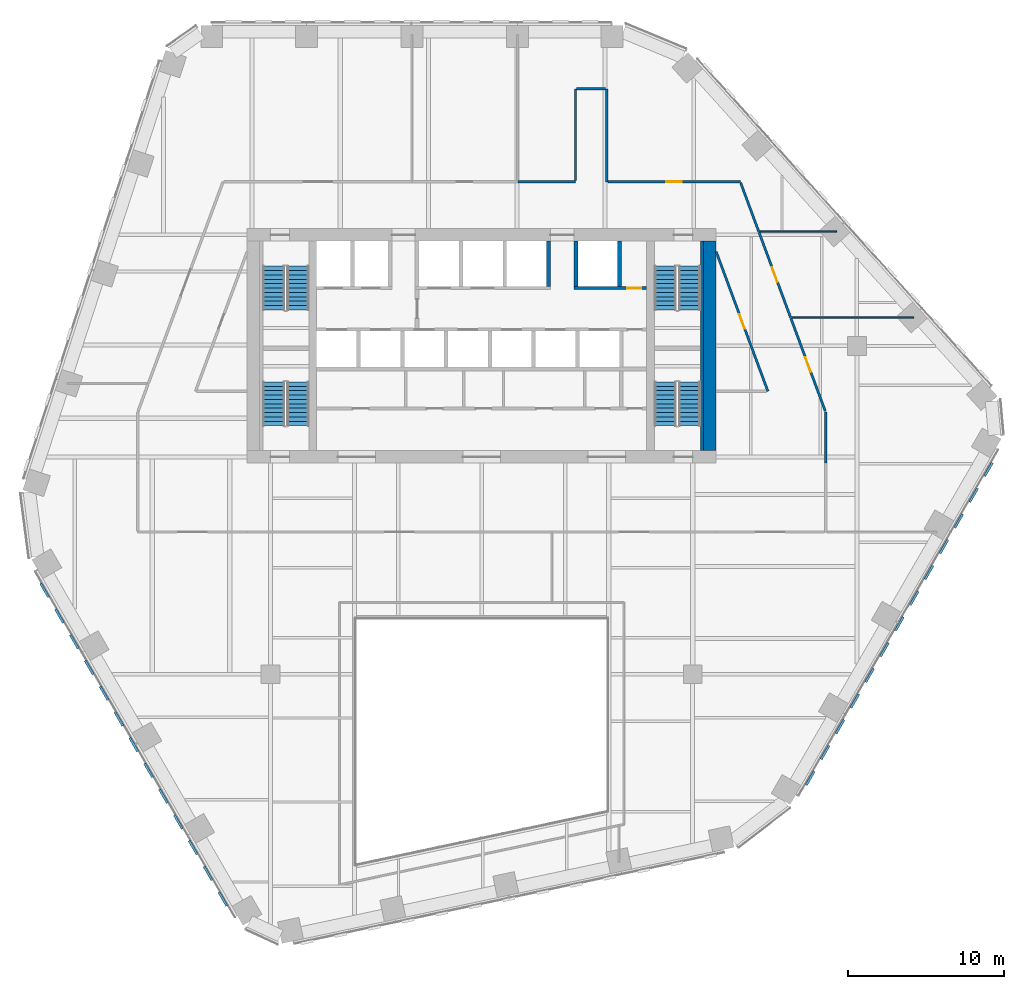
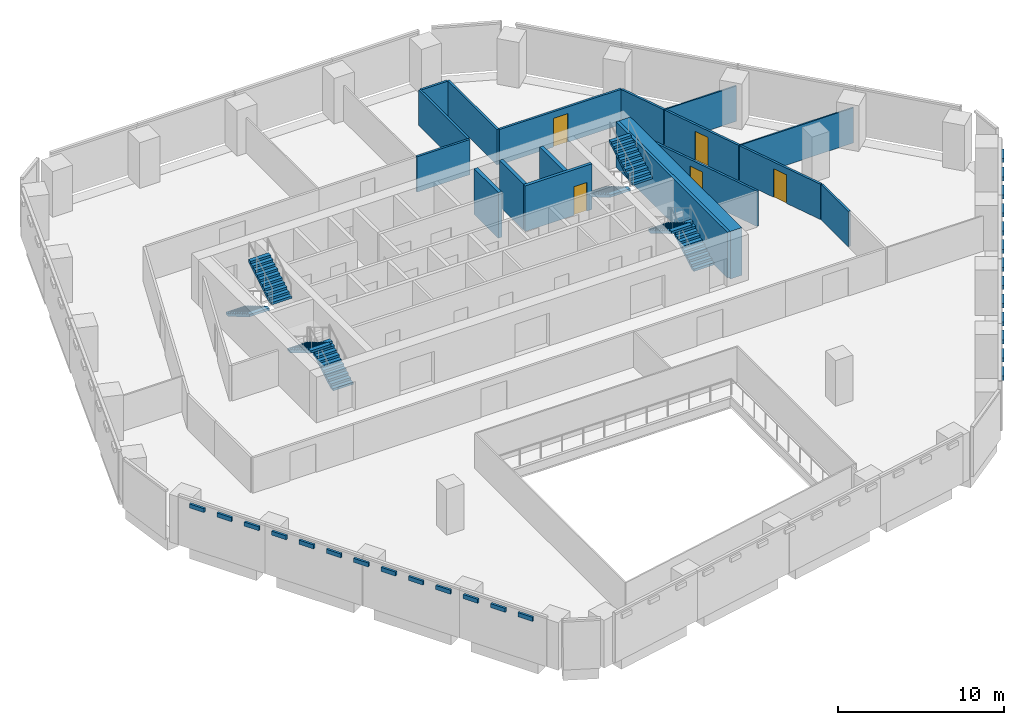
# One storey, part 13 of 17: 26 discrete accessories, 18 walls, 8 stair flights, 5 doors, 5 openings, 4 elements without a shape of their own.
"""IFC4 building model written with IfcOpenShell, lengths in metres."""

from ifc_helpers import new_model, si_unit, direction, frame, frame_2d, origin, origin_2d, place, context, subcontext, project, spatial, polyline, rectangle, outline, extrude, material, layer, layer_set, type_object, element, fill, aggregate, save


model = new_model("IFC4")

# Units and contexts
model_context = context("Model", 3, precision=1e-05, world=origin(), true_north=direction((0.0, 1.0)))
body_context = subcontext(model_context, "Body", "Model", "MODEL_VIEW")
ifc_project = project(units=[si_unit("LENGTHUNIT", "METRE"), si_unit("AREAUNIT", "SQUARE_METRE"), si_unit("VOLUMEUNIT", "CUBIC_METRE"), si_unit("PLANEANGLEUNIT", "RADIAN"), si_unit("MASSUNIT", "GRAM", prefix="KILO")], contexts=[model_context])

# Site, building, storey
site_placement = place(None, origin())
site = spatial("IfcSite", under=ifc_project, at=site_placement, CompositionType="ELEMENT")
building_placement = place(site_placement, origin())
building = spatial("IfcBuilding", under=site, at=building_placement, Name="Isthmus Gate Tower", CompositionType="ELEMENT")
storey_placement = place(building_placement, frame((0.0, 0.0, 162.64990234375)))
storey = spatial("IfcBuildingStorey", under=building, at=storey_placement, Name="L40", CompositionType="ELEMENT", Elevation=162.64990234375)

# Wall
ifc_material_1 = material(Name="Gypsum board on steel studs, fire-rated", Category="steel")
ifc_layer_1 = layer(ifc_material_1, 0.14990234375)
ifc_layer_set_1 = layer_set([ifc_layer_1], Name="CORRIDOR WALL 150 60 MIN")
wall_type_1 = type_object("IfcWallType", Name="CORRIDOR WALL 150 60 MIN", PredefinedType="PARTITIONING", material=ifc_layer_set_1)
wall_1_placement = place(storey_placement, frame((8.0, 23.949951171875, 0.0), z_axis=(0.0, 0.0, 1.0), x_axis=(0.0, -1.0, 0.0)))
element("IfcWall", 1, at=wall_1_placement, inside=storey, type_object=wall_type_1, Name="L40 Corridor Wall 150 60 Min", PredefinedType="PARTITIONING", context=body_context, shape_type="SweptSolid", body=[
    extrude(rectangle(XDim=5.949951171875, YDim=0.14990234375, at=frame_2d((2.97509765625, 0.0))), origin(), (0.0, 0.0, 1.0), 2.59130859375),
])

# Wall, opening, door
wall_2_placement = place(storey_placement, frame((18.30810546875, 4.60009765625, 0.0), z_axis=(0.0, 0.0, 1.0), x_axis=(-0.347347751601, 0.937736391241, 0.0)))
wall_2 = element("IfcWall", 2, at=wall_2_placement, inside=storey, type_object=wall_type_1, Name="L40 Corridor Wall 150 60 Min", PredefinedType="PARTITIONING", context=body_context, shape_type="SweptSolid", body=[
    extrude(rectangle(XDim=9.52392578125, YDim=0.14990234375, at=frame_2d((4.761962890625, 0.0))), origin(), (0.0, 0.0, 1.0), 2.59130859375),
])
opening_1_placement = place(wall_2_placement, frame((4.261962890625, 0.0, 0.0)))
opening_1 = element("IfcOpeningElement", 3, at=opening_1_placement, cuts=wall_2, Name="Opening DT-T3D-07", PredefinedType="OPENING", context=body_context, shape_type="SweptSolid", body=[
    extrude(rectangle(XDim=1.0, YDim=2.10009765625, at=frame_2d((0.5, 1.050048828125))), frame((0.0, 0.0849609375, 0.0), z_axis=(0.0, -1.0, 0.0), x_axis=(1.0, 0.0, 0.0)), (0.0, 0.0, 1.0), 0.169921875),
])
ifc_material_2 = material(Name="Solid core timber door leaf, fire-rated", Category="wood")
door_type_1 = type_object("IfcDoorType", Name="FIRE DOOR ROOM 1000 X 2100 60 MIN", OperationType="SINGLE_SWING_LEFT", PredefinedType="DOOR", material=ifc_material_2)
door_1_placement = place(opening_1_placement, origin())
door_1 = element("IfcDoor", 4, at=door_1_placement, inside=storey, type_object=door_type_1, Name="L40 room door", OperationType="SINGLE_SWING_RIGHT", OverallHeight=2.10009765625, OverallWidth=1.0, PredefinedType="DOOR", context=body_context, shape_type="SweptSolid", body=[
    extrude(rectangle(XDim=1.0, YDim=2.10009765625, at=frame_2d((0.5, 1.050048828125))), frame((0.0, 0.02490234375, 0.0), z_axis=(0.0, -1.0, 0.0), x_axis=(1.0, 0.0, 0.0)), (0.0, 0.0, 1.0), 0.050048828125),
])
fill(opening_1, door_1)

# Walls
wall_3_placement = place(storey_placement, frame((22.0, 3.26904296875, 0.0), z_axis=(0.0, 0.0, 1.0), x_axis=(0.0, -1.0, 0.0)))
element("IfcWall", 5, at=wall_3_placement, inside=storey, type_object=wall_type_1, Name="L40 Corridor Wall 150 60 Min", PredefinedType="PARTITIONING", context=body_context, shape_type="SweptSolid", body=[
    extrude(rectangle(XDim=3.26904296875, YDim=0.14990234375, at=frame_2d((1.634521484375, 0.0))), origin(), (0.0, 0.0, 1.0), 2.59130859375),
])
wall_4_placement = place(storey_placement, frame((2.337890625, 18.0, 0.0), z_axis=(0.0, 0.0, 1.0), x_axis=(1.0, 0.0, 0.0)))
element("IfcWall", 6, at=wall_4_placement, inside=storey, type_object=wall_type_1, Name="L40 Corridor Wall 150 60 Min", PredefinedType="PARTITIONING", context=body_context, shape_type="SweptSolid", body=[
    extrude(rectangle(XDim=3.662109375, YDim=0.14990234375, at=frame_2d((1.8310546875, 0.0))), origin(), (0.0, 0.0, 1.0), 2.59130859375),
])
wall_5_placement = place(storey_placement, frame((6.0, 18.074951171875, 0.0), z_axis=(0.0, 0.0, 1.0), x_axis=(0.0, 1.0, 0.0)))
element("IfcWall", 7, at=wall_5_placement, inside=storey, type_object=wall_type_1, Name="L40 Corridor Wall 150 60 Min", PredefinedType="PARTITIONING", context=body_context, shape_type="SweptSolid", body=[
    extrude(rectangle(XDim=5.875, YDim=0.14990234375, at=frame_2d((2.9375, 0.0))), origin(), (0.0, 0.0, 1.0), 2.59130859375),
])
wall_6_placement = place(storey_placement, frame((6.074951171875, 23.949951171875, 0.0), z_axis=(0.0, 0.0, 1.0), x_axis=(1.0, 0.0, 0.0)))
element("IfcWall", 8, at=wall_6_placement, inside=storey, type_object=wall_type_1, Name="L40 Corridor Wall 150 60 Min", PredefinedType="PARTITIONING", context=body_context, shape_type="SweptSolid", body=[
    extrude(rectangle(XDim=1.85009765625, YDim=0.14990234375, at=frame_2d((0.925048828125, 0.0))), origin(), (0.0, 0.0, 1.0), 2.59130859375),
])

# Wall, opening, door
wall_7_placement = place(storey_placement, frame((8.074951171875, 18.0, 0.0), z_axis=(0.0, 0.0, 1.0), x_axis=(1.0, 0.0, 0.0)))
wall_7 = element("IfcWall", 9, at=wall_7_placement, inside=storey, type_object=wall_type_1, Name="L40 Corridor Wall 150 60 Min", PredefinedType="PARTITIONING", context=body_context, shape_type="SweptSolid", body=[
    extrude(rectangle(XDim=8.468994140625, YDim=0.14990234375, at=frame_2d((4.234375, 0.0))), origin(), (0.0, 0.0, 1.0), 2.59130859375),
])
opening_2_placement = place(wall_7_placement, frame((3.734619140625, 0.0, 0.0)))
opening_2 = element("IfcOpeningElement", 10, at=opening_2_placement, cuts=wall_7, Name="Opening DT-T3D-02", PredefinedType="OPENING", context=body_context, shape_type="SweptSolid", body=[
    extrude(rectangle(XDim=1.0, YDim=2.10009765625, at=frame_2d((0.5, 1.050048828125))), frame((0.0, 0.0849609375, 0.0), z_axis=(0.0, -1.0, 0.0), x_axis=(1.0, 0.0, 0.0)), (0.0, 0.0, 1.0), 0.169921875),
])
door_2_placement = place(opening_2_placement, origin())
door_2 = element("IfcDoor", 11, at=door_2_placement, inside=storey, type_object=door_type_1, Name="L40 room door", OperationType="SINGLE_SWING_RIGHT", OverallHeight=2.10009765625, OverallWidth=1.0, PredefinedType="DOOR", context=body_context, shape_type="SweptSolid", body=[
    extrude(rectangle(XDim=1.0, YDim=2.10009765625, at=frame_2d((0.5, 1.050048828125))), frame((0.0, 0.02490234375, 0.0), z_axis=(0.0, -1.0, 0.0), x_axis=(1.0, 0.0, 0.0)), (0.0, 0.0, 1.0), 0.050048828125),
])
fill(opening_2, door_2)

# Wall
wall_8_placement = place(storey_placement, frame((16.570068359375, 17.9296875, 0.0), z_axis=(0.0, 0.0, 1.0), x_axis=(0.34720419289, -0.937789554452, 0.0)))
element("IfcWall", 12, at=wall_8_placement, inside=storey, type_object=wall_type_1, Name="L40 Corridor Wall 150 60 Min", PredefinedType="PARTITIONING", context=body_context, shape_type="SweptSolid", body=[
    extrude(rectangle(XDim=3.3203125, YDim=0.14990234375, at=frame_2d((1.66015625, 0.0))), origin(), (0.0, 0.0, 1.0), 2.59130859375),
])

# Wall, opening, door
wall_9_placement = place(storey_placement, frame((17.740478515625, 14.76904296875, 0.0), z_axis=(0.0, 0.0, 1.0), x_axis=(0.347393763434, -0.937719346674, 0.0)))
wall_9 = element("IfcWall", 13, at=wall_9_placement, inside=storey, type_object=wall_type_1, Name="L40 Corridor Wall 150 60 Min", PredefinedType="PARTITIONING", context=body_context, shape_type="SweptSolid", body=[
    extrude(rectangle(XDim=5.807861328125, YDim=0.14990234375, at=frame_2d((2.90380859375, 0.0))), origin(), (0.0, 0.0, 1.0), 2.59130859375),
])
opening_3_placement = place(wall_9_placement, frame((2.40380859375, 0.0, 0.0)))
opening_3 = element("IfcOpeningElement", 14, at=opening_3_placement, cuts=wall_9, Name="Opening DT-T3D-05", PredefinedType="OPENING", context=body_context, shape_type="SweptSolid", body=[
    extrude(rectangle(XDim=1.0, YDim=2.10009765625, at=frame_2d((0.5, 1.050048828125))), frame((0.0, 0.0849609375, 0.0), z_axis=(0.0, -1.0, 0.0), x_axis=(1.0, 0.0, 0.0)), (0.0, 0.0, 1.0), 0.169921875),
])
door_3_placement = place(opening_3_placement, origin())
door_3 = element("IfcDoor", 15, at=door_3_placement, inside=storey, type_object=door_type_1, Name="L40 room door", OperationType="SINGLE_SWING_RIGHT", OverallHeight=2.10009765625, OverallWidth=1.0, PredefinedType="DOOR", context=body_context, shape_type="SweptSolid", body=[
    extrude(rectangle(XDim=1.0, YDim=2.10009765625, at=frame_2d((0.5, 1.050048828125))), frame((0.0, 0.02490234375, 0.0), z_axis=(0.0, -1.0, 0.0), x_axis=(1.0, 0.0, 0.0)), (0.0, 0.0, 1.0), 0.050048828125),
])
fill(opening_3, door_3)

wall_10_placement = place(storey_placement, frame((19.775390625, 9.276123046875, 0.0), z_axis=(0.0, 0.0, 1.0), x_axis=(0.347304307854, -0.937752482133, 0.0)))
wall_10 = element("IfcWall", 16, at=wall_10_placement, inside=storey, type_object=wall_type_1, Name="L40 Corridor Wall 150 60 Min", PredefinedType="PARTITIONING", context=body_context, shape_type="SweptSolid", body=[
    extrude(rectangle(XDim=6.330810546875, YDim=0.14990234375, at=frame_2d((3.16552734375, 0.0))), origin(), (0.0, 0.0, 1.0), 2.59130859375),
])
opening_4_placement = place(wall_10_placement, frame((2.665283203125, 0.0, 0.0)))
opening_4 = element("IfcOpeningElement", 17, at=opening_4_placement, cuts=wall_10, Name="Opening DT-T3D-08", PredefinedType="OPENING", context=body_context, shape_type="SweptSolid", body=[
    extrude(rectangle(XDim=1.0, YDim=2.10009765625, at=frame_2d((0.5, 1.050048828125))), frame((0.0, 0.0849609375, 0.0), z_axis=(0.0, -1.0, 0.0), x_axis=(1.0, 0.0, 0.0)), (0.0, 0.0, 1.0), 0.169921875),
])
door_4_placement = place(opening_4_placement, origin())
door_4 = element("IfcDoor", 18, at=door_4_placement, inside=storey, type_object=door_type_1, Name="L40 room door", OperationType="SINGLE_SWING_RIGHT", OverallHeight=2.10009765625, OverallWidth=1.0, PredefinedType="DOOR", context=body_context, shape_type="SweptSolid", body=[
    extrude(rectangle(XDim=1.0, YDim=2.10009765625, at=frame_2d((0.5, 1.050048828125))), frame((0.0, 0.02490234375, 0.0), z_axis=(0.0, -1.0, 0.0), x_axis=(1.0, 0.0, 0.0)), (0.0, 0.0, 1.0), 0.050048828125),
])
fill(opening_4, door_4)

# Walls
ifc_material_3 = material(Name="Concrete f'c 60 MPa", Category="concrete")
ifc_layer_2 = layer(ifc_material_3, 0.800048828125)
ifc_layer_set_2 = layer_set([ifc_layer_2], Name="RC CORE WALL 800 F'C 60")
wall_type_2 = type_object("IfcWallType", Name="RC CORE WALL 800 F'C 60", PredefinedType="SOLIDWALL", material=ifc_layer_set_2)
wall_11_placement = place(storey_placement, frame((14.60009765625, 0.800048828125, -0.14990234375), z_axis=(0.0, 0.0, 1.0), x_axis=(0.0, 1.0, 0.0)))
element("IfcWall", 19, at=wall_11_placement, inside=storey, type_object=wall_type_2, Name="str-corewall-L40-E", PredefinedType="SOLIDWALL", context=body_context, shape_type="SweptSolid", body=[
    extrude(rectangle(XDim=13.39990234375, YDim=0.800048828125, at=frame_2d((6.699951171875, 0.0))), origin(), (0.0, 0.0, 1.0), 3.5),
])
ifc_material_4 = material(Name="Gypsum board on steel studs, fire-rated", Category="steel")
ifc_layer_3 = layer(ifc_material_4, 0.10009765625)
ifc_layer_set_3 = layer_set([ifc_layer_3], Name="ROOM PARTITION 100 30 MIN")
wall_type_3 = type_object("IfcWallType", Name="ROOM PARTITION 100 30 MIN", PredefinedType="PARTITIONING", material=ifc_layer_set_3)
wall_12_placement = place(storey_placement, frame((17.798095703125, 14.81591796875, 0.0), z_axis=(0.0, 0.0, 1.0), x_axis=(1.0, 0.0, 0.0)))
element("IfcWall", 20, at=wall_12_placement, inside=storey, type_object=wall_type_3, Name="L40 Room Partition 100 30 Min", PredefinedType="PARTITIONING", context=body_context, shape_type="SweptSolid", body=[
    extrude(rectangle(XDim=4.908935546875, YDim=0.10009765625, at=frame_2d((2.45458984375, 0.0))), origin(), (0.0, 0.0, 1.0), 2.59130859375),
])
wall_13_placement = place(storey_placement, frame((19.8330078125, 9.322998046875, 0.0), z_axis=(0.0, 0.0, 1.0), x_axis=(1.0, 0.0, 0.0)))
element("IfcWall", 21, at=wall_13_placement, inside=storey, type_object=wall_type_3, Name="L40 Room Partition 100 30 Min", PredefinedType="PARTITIONING", context=body_context, shape_type="SweptSolid", body=[
    extrude(rectangle(XDim=7.819091796875, YDim=0.10009765625, at=frame_2d((3.90966796875, 0.0))), origin(), (0.0, 0.0, 1.0), 2.59130859375),
])

# Wall, opening, door
ifc_material_5 = material(Name="Fire-rated blockwork masonry, 15 MPa", Category="masonry")
ifc_layer_4 = layer(ifc_material_5, 0.199951171875)
ifc_layer_set_4 = layer_set([ifc_layer_4], Name="SHAFT FRONT WALL 200 120 MIN")
wall_type_4 = type_object("IfcWallType", Name="SHAFT FRONT WALL 200 120 MIN", PredefinedType="PARTITIONING", material=ifc_layer_set_4)
wall_14_placement = place(storey_placement, frame((5.89990234375, 11.199951171875, 0.0), z_axis=(0.0, 0.0, 1.0), x_axis=(1.0, 0.0, 0.0)))
wall_14 = element("IfcWall", 22, at=wall_14_placement, inside=storey, type_object=wall_type_4, Name="L40 SHAFT FRONT WALL 200 120 MIN", PredefinedType="PARTITIONING", context=body_context, shape_type="SweptSolid", body=[
    extrude(rectangle(XDim=4.650146484375, YDim=0.199951171875, at=frame_2d((2.3251953125, 0.0))), origin(), (0.0, 0.0, 1.0), 3.35009765625),
])
opening_5_placement = place(wall_14_placement, frame((3.39990234375, 0.0, 0.0)))
opening_5 = element("IfcOpeningElement", 23, at=opening_5_placement, cuts=wall_14, Name="Opening DC-A11-09", PredefinedType="OPENING", context=body_context, shape_type="SweptSolid", body=[
    extrude(rectangle(XDim=0.89990234375, YDim=2.10009765625, at=frame_2d((0.449951171875, 1.050048828125))), frame((0.0, 0.10986328125, 0.0), z_axis=(0.0, -1.0, 0.0), x_axis=(1.0, 0.0, 0.0)), (0.0, 0.0, 1.0), 0.219970703125),
])
ifc_material_6 = material(Name="Steel door leaf, fire-rated", Category="steel")
door_type_2 = type_object("IfcDoorType", Name="RISER FIRE DOOR 900 X 2100 90 MIN", OperationType="SINGLE_SWING_LEFT", PredefinedType="DOOR", material=ifc_material_6)
door_5_placement = place(opening_5_placement, origin())
door_5 = element("IfcDoor", 24, at=door_5_placement, inside=storey, type_object=door_type_2, Name="Riser Door", OperationType="SINGLE_SWING_LEFT", OverallHeight=2.10009765625, OverallWidth=0.89990234375, PredefinedType="DOOR", context=body_context, shape_type="SweptSolid", body=[
    extrude(rectangle(XDim=0.89990234375, YDim=2.10009765625, at=frame_2d((0.449951171875, 1.050048828125))), frame((0.0, 0.02490234375, 0.0), z_axis=(0.0, -1.0, 0.0), x_axis=(1.0, 0.0, 0.0)), (0.0, 0.0, 1.0), 0.050048828125),
])
fill(opening_5, door_5)

# Walls
ifc_material_7 = material(Name="Fire-rated blockwork masonry, 15 MPa", Category="masonry")
ifc_layer_5 = layer(ifc_material_7, 0.25)
ifc_layer_set_5 = layer_set([ifc_layer_5], Name="SHAFT WALL 250 120 MIN")
wall_type_5 = type_object("IfcWallType", Name="SHAFT WALL 250 120 MIN", PredefinedType="PARTITIONING", material=ifc_layer_set_5)
for number, where, z_axis, x_axis, name in (
    (25, (4.27490234375, 11.300048828125, 0.0), (0.0, 0.0, 1.0), (0.0, 1.0, 0.0), "L40 SHAFT WALL 250 120 MIN"),
    (26, (6.02490234375, 11.300048828125, 0.0), (0.0, 0.0, 1.0), (0.0, 1.0, 0.0), "L40 SHAFT WALL 250 120 MIN"),
    (27, (8.824951171875, 11.300048828125, 0.0), (0.0, 0.0, 1.0), (0.0, 1.0, 0.0), "L40 SHAFT WALL 250 120 MIN"),
):
    element("IfcWall", number, at=place(storey_placement, frame(where, z_axis=z_axis, x_axis=x_axis)), inside=storey, type_object=wall_type_5, Name=name, PredefinedType="PARTITIONING", context=body_context, shape_type="SweptSolid", body=[
        extrude(rectangle(XDim=2.89990234375, YDim=0.25, at=frame_2d((1.449951171875, 0.0))), origin(), (0.0, 0.0, 1.0), 3.35009765625),
    ])
ifc_material_8 = material(Name="Concrete f'c 40 MPa", Category="concrete")
ifc_layer_6 = layer(ifc_material_8, 0.199951171875)
ifc_layer_set_6 = layer_set([ifc_layer_6], Name="STAIR ENCLOSURE WALL 200 180 MIN")
wall_type_6 = type_object("IfcWallType", Name="STAIR ENCLOSURE WALL 200 180 MIN", PredefinedType="SOLIDWALL", material=ifc_layer_set_6)
wall_15_placement = place(storey_placement, frame((14.10009765625, 0.800048828125, 0.0), z_axis=(0.0, 0.0, 1.0), x_axis=(0.0, 1.0, 0.0)))
element("IfcWall", 28, at=wall_15_placement, inside=storey, type_object=wall_type_6, Name="L40 STAIR ENCLOSURE WALL 200 180 MIN", PredefinedType="SOLIDWALL", context=body_context, shape_type="SweptSolid", body=[
    extrude(rectangle(XDim=13.39990234375, YDim=0.199951171875, at=frame_2d((6.699951171875, 0.0))), origin(), (0.0, 0.0, 1.0), 3.35009765625),
])

# Stair, stair flights
ifc_material_9 = material(Name="Concrete f'c 40 MPa", Category="concrete")
stair_type = type_object("IfcStairType", Name="CORE STAIR 22 RISERS", PredefinedType="HALF_TURN_STAIR", material=ifc_material_9)
stair_1_placement = place(storey_placement, origin())
stair_1 = element("IfcStair", 29, at=stair_1_placement, inside=storey, type_object=stair_type, Name="L40 Exit Stair 1", PredefinedType="HALF_TURN_STAIR")
ifc_material_10 = material(Name="Concrete f'c 40 MPa", Category="concrete")
stair_flight_type = type_object("IfcStairFlightType", Name="STAIR FLIGHT RC 1400", PredefinedType="STRAIGHT", material=ifc_material_10)
stair_flight_1_placement = place(storey_placement, frame((-13.300048828125, 12.60009765625, 0.0), z_axis=(0.0, 0.0, 1.0), x_axis=(0.0, -1.0, 0.0)))
stair_flight_1 = element("IfcStairFlight", 30, at=stair_flight_1_placement, type_object=stair_flight_type, Name="ST1 flight 1", NumberOfRisers=11, NumberOfTreads=10, PredefinedType="STRAIGHT", RiserHeight=0.165909091, TreadLength=0.28, context=body_context, shape_type="SweptSolid", body=[
    extrude(outline(polyline([(0.0, 0.0), (0.0, 0.166015625), (0.280029296875, 0.166015625), (0.280029296875, 0.331787109375), (0.56005859375, 0.331787109375), (0.56005859375, 0.497802734375), (0.840087890625, 0.497802734375), (0.840087890625, 0.66357421875), (1.1201171875, 0.66357421875), (1.1201171875, 0.82958984375), (1.39990234375, 0.82958984375), (1.39990234375, 0.995361328125), (1.679931640625, 0.995361328125), (1.679931640625, 1.161376953125), (1.9599609375, 1.161376953125), (1.9599609375, 1.327392578125), (2.239990234375, 1.327392578125), (2.239990234375, 1.4931640625), (2.52001953125, 1.4931640625), (2.52001953125, 1.6591796875), (2.800048828125, 1.6591796875), (2.800048828125, 1.824951171875), (2.800048828125, 1.48486328125), (0.2939453125, 0.0), (0.0, 0.0)])), frame((0.0, 0.699951171875, 0.0), z_axis=(0.0, -1.0, 0.0), x_axis=(1.0, 0.0, 0.0)), (0.0, 0.0, 1.0), 1.39990234375),
])
stair_flight_2_placement = place(storey_placement, frame((-11.75, 9.800048828125, 1.8251953125), z_axis=(0.0, 0.0, 1.0), x_axis=(0.0, 1.0, 0.0)))
stair_flight_2 = element("IfcStairFlight", 31, at=stair_flight_2_placement, type_object=stair_flight_type, Name="ST1 flight 2", NumberOfRisers=11, NumberOfTreads=10, PredefinedType="STRAIGHT", RiserHeight=0.165909091, TreadLength=0.28, context=body_context, shape_type="SweptSolid", body=[
    extrude(outline(polyline([(0.0, 0.0), (0.0, 0.166015625), (0.280029296875, 0.166015625), (0.280029296875, 0.331787109375), (0.56005859375, 0.331787109375), (0.56005859375, 0.497802734375), (0.840087890625, 0.497802734375), (0.840087890625, 0.66357421875), (1.1201171875, 0.66357421875), (1.1201171875, 0.82958984375), (1.39990234375, 0.82958984375), (1.39990234375, 0.995361328125), (1.679931640625, 0.995361328125), (1.679931640625, 1.161376953125), (1.9599609375, 1.161376953125), (1.9599609375, 1.327392578125), (2.239990234375, 1.327392578125), (2.239990234375, 1.4931640625), (2.52001953125, 1.4931640625), (2.52001953125, 1.6591796875), (2.800048828125, 1.6591796875), (2.800048828125, 1.824951171875), (2.800048828125, 1.48486328125), (0.2939453125, 0.0), (0.0, 0.0)])), frame((0.0, 0.699951171875, 0.0), z_axis=(0.0, -1.0, 0.0), x_axis=(1.0, 0.0, 0.0)), (0.0, 0.0, 1.0), 1.39990234375),
])
aggregate(stair_1, [stair_flight_1, stair_flight_2])

stair_2_placement = place(storey_placement, origin())
stair_2 = element("IfcStair", 32, at=stair_2_placement, inside=storey, type_object=stair_type, Name="L40 Exit Stair 2", PredefinedType="HALF_TURN_STAIR")
stair_flight_3_placement = place(storey_placement, frame((11.75, 12.60009765625, 0.0), z_axis=(0.0, 0.0, 1.0), x_axis=(0.0, -1.0, 0.0)))
stair_flight_3 = element("IfcStairFlight", 33, at=stair_flight_3_placement, type_object=stair_flight_type, Name="ST2 flight 1", NumberOfRisers=11, NumberOfTreads=10, PredefinedType="STRAIGHT", RiserHeight=0.165909091, TreadLength=0.28, context=body_context, shape_type="SweptSolid", body=[
    extrude(outline(polyline([(0.0, 0.0), (0.0, 0.166015625), (0.280029296875, 0.166015625), (0.280029296875, 0.331787109375), (0.56005859375, 0.331787109375), (0.56005859375, 0.497802734375), (0.840087890625, 0.497802734375), (0.840087890625, 0.66357421875), (1.1201171875, 0.66357421875), (1.1201171875, 0.82958984375), (1.39990234375, 0.82958984375), (1.39990234375, 0.995361328125), (1.679931640625, 0.995361328125), (1.679931640625, 1.161376953125), (1.9599609375, 1.161376953125), (1.9599609375, 1.327392578125), (2.239990234375, 1.327392578125), (2.239990234375, 1.4931640625), (2.52001953125, 1.4931640625), (2.52001953125, 1.6591796875), (2.800048828125, 1.6591796875), (2.800048828125, 1.824951171875), (2.800048828125, 1.48486328125), (0.2939453125, 0.0), (0.0, 0.0)])), frame((0.0, 0.699951171875, 0.0), z_axis=(0.0, -1.0, 0.0), x_axis=(1.0, 0.0, 0.0)), (0.0, 0.0, 1.0), 1.39990234375),
])
stair_flight_4_placement = place(storey_placement, frame((13.300048828125, 9.800048828125, 1.8251953125), z_axis=(0.0, 0.0, 1.0), x_axis=(0.0, 1.0, 0.0)))
stair_flight_4 = element("IfcStairFlight", 34, at=stair_flight_4_placement, type_object=stair_flight_type, Name="ST2 flight 2", NumberOfRisers=11, NumberOfTreads=10, PredefinedType="STRAIGHT", RiserHeight=0.165909091, TreadLength=0.28, context=body_context, shape_type="SweptSolid", body=[
    extrude(outline(polyline([(0.0, 0.0), (0.0, 0.166015625), (0.280029296875, 0.166015625), (0.280029296875, 0.331787109375), (0.56005859375, 0.331787109375), (0.56005859375, 0.497802734375), (0.840087890625, 0.497802734375), (0.840087890625, 0.66357421875), (1.1201171875, 0.66357421875), (1.1201171875, 0.82958984375), (1.39990234375, 0.82958984375), (1.39990234375, 0.995361328125), (1.679931640625, 0.995361328125), (1.679931640625, 1.161376953125), (1.9599609375, 1.161376953125), (1.9599609375, 1.327392578125), (2.239990234375, 1.327392578125), (2.239990234375, 1.4931640625), (2.52001953125, 1.4931640625), (2.52001953125, 1.6591796875), (2.800048828125, 1.6591796875), (2.800048828125, 1.824951171875), (2.800048828125, 1.48486328125), (0.2939453125, 0.0), (0.0, 0.0)])), frame((0.0, 0.699951171875, 0.0), z_axis=(0.0, -1.0, 0.0), x_axis=(1.0, 0.0, 0.0)), (0.0, 0.0, 1.0), 1.39990234375),
])
aggregate(stair_2, [stair_flight_3, stair_flight_4])

stair_3_placement = place(storey_placement, origin())
stair_3 = element("IfcStair", 35, at=stair_3_placement, inside=storey, type_object=stair_type, Name="L40 Exit Stair 7", PredefinedType="HALF_TURN_STAIR")
stair_flight_5_placement = place(storey_placement, frame((-11.75, 2.39990234375, 0.0), z_axis=(0.0, 0.0, 1.0), x_axis=(0.0, 1.0, 0.0)))
stair_flight_5 = element("IfcStairFlight", 36, at=stair_flight_5_placement, type_object=stair_flight_type, Name="ST7 flight 1", NumberOfRisers=11, NumberOfTreads=10, PredefinedType="STRAIGHT", RiserHeight=0.165909091, TreadLength=0.28, context=body_context, shape_type="SweptSolid", body=[
    extrude(outline(polyline([(0.0, 0.0), (0.0, 0.166015625), (0.280029296875, 0.166015625), (0.280029296875, 0.331787109375), (0.56005859375, 0.331787109375), (0.56005859375, 0.497802734375), (0.840087890625, 0.497802734375), (0.840087890625, 0.66357421875), (1.1201171875, 0.66357421875), (1.1201171875, 0.82958984375), (1.39990234375, 0.82958984375), (1.39990234375, 0.995361328125), (1.679931640625, 0.995361328125), (1.679931640625, 1.161376953125), (1.9599609375, 1.161376953125), (1.9599609375, 1.327392578125), (2.239990234375, 1.327392578125), (2.239990234375, 1.4931640625), (2.52001953125, 1.4931640625), (2.52001953125, 1.6591796875), (2.800048828125, 1.6591796875), (2.800048828125, 1.824951171875), (2.800048828125, 1.48486328125), (0.2939453125, 0.0), (0.0, 0.0)])), frame((0.0, 0.699951171875, 0.0), z_axis=(0.0, -1.0, 0.0), x_axis=(1.0, 0.0, 0.0)), (0.0, 0.0, 1.0), 1.39990234375),
])
stair_flight_6_placement = place(storey_placement, frame((-13.300048828125, 5.199951171875, 1.8251953125), z_axis=(0.0, 0.0, 1.0), x_axis=(0.0, -1.0, 0.0)))
stair_flight_6 = element("IfcStairFlight", 37, at=stair_flight_6_placement, type_object=stair_flight_type, Name="ST7 flight 2", NumberOfRisers=11, NumberOfTreads=10, PredefinedType="STRAIGHT", RiserHeight=0.165909091, TreadLength=0.28, context=body_context, shape_type="SweptSolid", body=[
    extrude(outline(polyline([(0.0, 0.0), (0.0, 0.166015625), (0.280029296875, 0.166015625), (0.280029296875, 0.331787109375), (0.56005859375, 0.331787109375), (0.56005859375, 0.497802734375), (0.840087890625, 0.497802734375), (0.840087890625, 0.66357421875), (1.1201171875, 0.66357421875), (1.1201171875, 0.82958984375), (1.39990234375, 0.82958984375), (1.39990234375, 0.995361328125), (1.679931640625, 0.995361328125), (1.679931640625, 1.161376953125), (1.9599609375, 1.161376953125), (1.9599609375, 1.327392578125), (2.239990234375, 1.327392578125), (2.239990234375, 1.4931640625), (2.52001953125, 1.4931640625), (2.52001953125, 1.6591796875), (2.800048828125, 1.6591796875), (2.800048828125, 1.824951171875), (2.800048828125, 1.48486328125), (0.2939453125, 0.0), (0.0, 0.0)])), frame((0.0, 0.699951171875, 0.0), z_axis=(0.0, -1.0, 0.0), x_axis=(1.0, 0.0, 0.0)), (0.0, 0.0, 1.0), 1.39990234375),
])
aggregate(stair_3, [stair_flight_5, stair_flight_6])

stair_4_placement = place(storey_placement, origin())
stair_4 = element("IfcStair", 38, at=stair_4_placement, inside=storey, type_object=stair_type, Name="L40 Exit Stair 8", PredefinedType="HALF_TURN_STAIR")
stair_flight_7_placement = place(storey_placement, frame((13.300048828125, 2.39990234375, 0.0), z_axis=(0.0, 0.0, 1.0), x_axis=(0.0, 1.0, 0.0)))
stair_flight_7 = element("IfcStairFlight", 39, at=stair_flight_7_placement, type_object=stair_flight_type, Name="ST8 flight 1", NumberOfRisers=11, NumberOfTreads=10, PredefinedType="STRAIGHT", RiserHeight=0.165909091, TreadLength=0.28, context=body_context, shape_type="SweptSolid", body=[
    extrude(outline(polyline([(0.0, 0.0), (0.0, 0.166015625), (0.280029296875, 0.166015625), (0.280029296875, 0.331787109375), (0.56005859375, 0.331787109375), (0.56005859375, 0.497802734375), (0.840087890625, 0.497802734375), (0.840087890625, 0.66357421875), (1.1201171875, 0.66357421875), (1.1201171875, 0.82958984375), (1.39990234375, 0.82958984375), (1.39990234375, 0.995361328125), (1.679931640625, 0.995361328125), (1.679931640625, 1.161376953125), (1.9599609375, 1.161376953125), (1.9599609375, 1.327392578125), (2.239990234375, 1.327392578125), (2.239990234375, 1.4931640625), (2.52001953125, 1.4931640625), (2.52001953125, 1.6591796875), (2.800048828125, 1.6591796875), (2.800048828125, 1.824951171875), (2.800048828125, 1.48486328125), (0.2939453125, 0.0), (0.0, 0.0)])), frame((0.0, 0.699951171875, 0.0), z_axis=(0.0, -1.0, 0.0), x_axis=(1.0, 0.0, 0.0)), (0.0, 0.0, 1.0), 1.39990234375),
])
stair_flight_8_placement = place(storey_placement, frame((11.75, 5.199951171875, 1.8251953125), z_axis=(0.0, 0.0, 1.0), x_axis=(0.0, -1.0, 0.0)))
stair_flight_8 = element("IfcStairFlight", 40, at=stair_flight_8_placement, type_object=stair_flight_type, Name="ST8 flight 2", NumberOfRisers=11, NumberOfTreads=10, PredefinedType="STRAIGHT", RiserHeight=0.165909091, TreadLength=0.28, context=body_context, shape_type="SweptSolid", body=[
    extrude(outline(polyline([(0.0, 0.0), (0.0, 0.166015625), (0.280029296875, 0.166015625), (0.280029296875, 0.331787109375), (0.56005859375, 0.331787109375), (0.56005859375, 0.497802734375), (0.840087890625, 0.497802734375), (0.840087890625, 0.66357421875), (1.1201171875, 0.66357421875), (1.1201171875, 0.82958984375), (1.39990234375, 0.82958984375), (1.39990234375, 0.995361328125), (1.679931640625, 0.995361328125), (1.679931640625, 1.161376953125), (1.9599609375, 1.161376953125), (1.9599609375, 1.327392578125), (2.239990234375, 1.327392578125), (2.239990234375, 1.4931640625), (2.52001953125, 1.4931640625), (2.52001953125, 1.6591796875), (2.800048828125, 1.6591796875), (2.800048828125, 1.824951171875), (2.800048828125, 1.48486328125), (0.2939453125, 0.0), (0.0, 0.0)])), frame((0.0, 0.699951171875, 0.0), z_axis=(0.0, -1.0, 0.0), x_axis=(1.0, 0.0, 0.0)), (0.0, 0.0, 1.0), 1.39990234375),
])
aggregate(stair_4, [stair_flight_7, stair_flight_8])

# Discrete accessories
ifc_material_11 = material(Name="Structural steel ASTM A572 Gr 50, white paint system", Category="steel")
discrete_accessory_type = type_object("IfcDiscreteAccessoryType", Name="FIN BRACKET 1016 X 150 X 300", PredefinedType="BRACKET", material=ifc_material_11)
for number, where, z_axis, x_axis, name in (
    (41, (-27.9560546875, -8.128662109375, 3.10009765625), (0.0, 0.0, 1.0), (-0.866025403784, -0.5, 0.0), "FIN BRACKET"),
    (42, (-27.006103515625, -9.774169921875, 3.10009765625), (0.0, 0.0, 1.0), (-0.866025403784, -0.5, 0.0), "FIN BRACKET"),
    (43, (-26.055908203125, -11.419677734375, 3.10009765625), (0.0, 0.0, 1.0), (-0.866025403784, -0.5, 0.0), "FIN BRACKET"),
    (44, (-25.10595703125, -13.065185546875, 3.10009765625), (0.0, 0.0, 1.0), (-0.866025403784, -0.5, 0.0), "FIN BRACKET"),
    (45, (-24.156005859375, -14.71044921875, 3.10009765625), (0.0, 0.0, 1.0), (-0.866025403784, -0.5, 0.0), "FIN BRACKET"),
    (46, (-23.2060546875, -16.35595703125, 3.10009765625), (0.0, 0.0, 1.0), (-0.866025403784, -0.5, 0.0), "FIN BRACKET"),
    (47, (-22.256103515625, -18.00146484375, 3.10009765625), (0.0, 0.0, 1.0), (-0.866025403784, -0.5, 0.0), "FIN BRACKET"),
    (48, (-21.305908203125, -19.64697265625, 3.10009765625), (0.0, 0.0, 1.0), (-0.866025403784, -0.5, 0.0), "FIN BRACKET"),
    (49, (-20.35595703125, -21.292236328125, 3.10009765625), (0.0, 0.0, 1.0), (-0.866025403784, -0.5, 0.0), "FIN BRACKET"),
    (50, (-19.406005859375, -22.937744140625, 3.10009765625), (0.0, 0.0, 1.0), (-0.866025403784, -0.5, 0.0), "FIN BRACKET"),
    (51, (-18.4560546875, -24.583251953125, 3.10009765625), (0.0, 0.0, 1.0), (-0.866025403784, -0.5, 0.0), "FIN BRACKET"),
    (52, (-17.506103515625, -26.228759765625, 3.10009765625), (0.0, 0.0, 1.0), (-0.866025403784, -0.5, 0.0), "FIN BRACKET"),
    (53, (-16.555908203125, -27.8740234375, 3.10009765625), (0.0, 0.0, 1.0), (-0.866025403784, -0.5, 0.0), "FIN BRACKET"),
    (54, (21.017822265625, -20.146240234375, 3.10009765625), (0.0, 0.0, 1.0), (0.866025403784, -0.5, 0.0), "FIN BRACKET"),
    (55, (21.9677734375, -18.500732421875, 3.10009765625), (0.0, 0.0, 1.0), (0.866025403784, -0.5, 0.0), "FIN BRACKET"),
    (56, (22.917724609375, -16.855224609375, 3.10009765625), (0.0, 0.0, 1.0), (0.866025403784, -0.5, 0.0), "FIN BRACKET"),
    (57, (23.86767578125, -15.2099609375, 3.10009765625), (0.0, 0.0, 1.0), (0.866025403784, -0.5, 0.0), "FIN BRACKET"),
    (58, (24.817626953125, -13.564453125, 3.10009765625), (0.0, 0.0, 1.0), (0.866025403784, -0.5, 0.0), "FIN BRACKET"),
    (59, (25.767822265625, -11.9189453125, 3.10009765625), (0.0, 0.0, 1.0), (0.866025403784, -0.5, 0.0), "FIN BRACKET"),
    (60, (26.7177734375, -10.2734375, 3.10009765625), (0.0, 0.0, 1.0), (0.866025403784, -0.5, 0.0), "FIN BRACKET"),
    (61, (27.667724609375, -8.628173828125, 3.10009765625), (0.0, 0.0, 1.0), (0.866025403784, -0.5, 0.0), "FIN BRACKET"),
    (62, (28.61767578125, -6.982666015625, 3.10009765625), (0.0, 0.0, 1.0), (0.866025403784, -0.5, 0.0), "FIN BRACKET"),
    (63, (29.567626953125, -5.337158203125, 3.10009765625), (0.0, 0.0, 1.0), (0.866025403784, -0.5, 0.0), "FIN BRACKET"),
    (64, (30.517822265625, -3.691650390625, 3.10009765625), (0.0, 0.0, 1.0), (0.866025403784, -0.5, 0.0), "FIN BRACKET"),
    (65, (31.4677734375, -2.04638671875, 3.10009765625), (0.0, 0.0, 1.0), (0.866025403784, -0.5, 0.0), "FIN BRACKET"),
    (66, (32.417724609375, -0.40087890625, 3.10009765625), (0.0, 0.0, 1.0), (0.866025403784, -0.5, 0.0), "FIN BRACKET"),
):
    element("IfcDiscreteAccessory", number, at=place(storey_placement, frame(where, z_axis=z_axis, x_axis=x_axis)), inside=storey, type_object=discrete_accessory_type, Name=name, PredefinedType="BRACKET", context=body_context, shape_type="SweptSolid", body=[
        extrude(rectangle(XDim=0.14990234375, YDim=1.01611328125, at=origin_2d()), origin(), (0.0, 0.0, 1.0), 0.300048828125),
    ])

save(model, "model.ifc")
